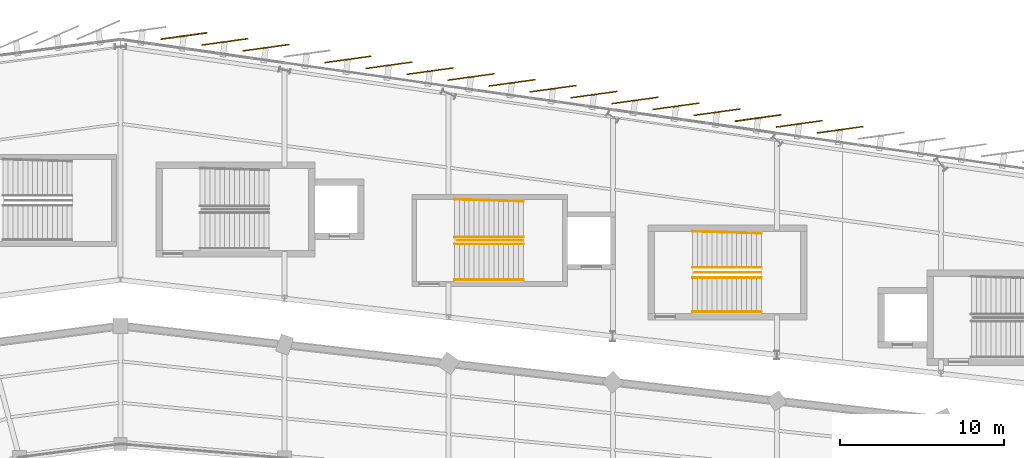
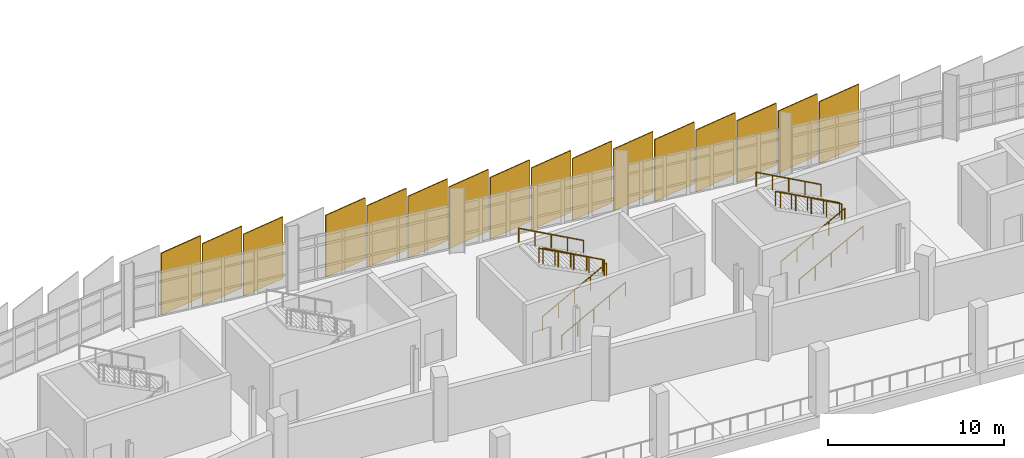
# One storey, part 120 of 125: 16 coverings, 10 railings.
"""IFC4 building model written with IfcOpenShell, lengths in metres."""

from ifc_helpers import new_model, si_unit, direction, frame, origin, origin_2d, place, context, subcontext, project, spatial, rectangle, circle, extrude, material, layer, layer_set, type_object, element, save


model = new_model("IFC4")

# Units and contexts
model_context = context("Model", 3, precision=1e-05, world=origin(), true_north=direction((0.0, 1.0)))
body_context = subcontext(model_context, "Body", "Model", "MODEL_VIEW")
ifc_project = project(units=[si_unit("LENGTHUNIT", "METRE"), si_unit("AREAUNIT", "SQUARE_METRE"), si_unit("VOLUMEUNIT", "CUBIC_METRE"), si_unit("PLANEANGLEUNIT", "RADIAN"), si_unit("MASSUNIT", "GRAM", prefix="KILO")], contexts=[model_context])

# Site, building, storey
site_placement = place(None, origin())
site = spatial("IfcSite", under=ifc_project, at=site_placement, CompositionType="ELEMENT")
building_placement = place(site_placement, origin())
building = spatial("IfcBuilding", under=site, at=building_placement, Name="Sohan Crest Arena", CompositionType="ELEMENT")
storey_placement = place(building_placement, frame((0.0, 0.0, 9.0)))
storey = spatial("IfcBuildingStorey", under=building, at=storey_placement, Name="L02", CompositionType="ELEMENT", Elevation=9.0)

# Railings
ifc_material_1 = material(Name="Powder-coated wrought steel balustrade", Category="steel")
railing_type_1 = type_object("IfcRailingType", Name="ARC-GRD-01", PredefinedType="GUARDRAIL", material=ifc_material_1)
for number, where, name in (
    (1, (122.530029296875, 114.199951171875, 2.25), "Stair well slot guard GRD-048"),
    (2, (137.030029296875, 112.25, 2.25), "Stair well slot guard GRD-120"),
):
    element("IfcRailing", number, at=place(storey_placement, frame(where)), inside=storey, type_object=railing_type_1, Name=name, PredefinedType="GUARDRAIL", context=body_context, shape_type="SweptSolid", body=[
        extrude(circle(Radius=0.02392578125, at=origin_2d()), frame((0.0, 0.0, 1.076171875), z_axis=(-0.87313487534, 0.0, 0.487478706678), x_axis=(0.0, -1.0, 0.0)), (0.0, 0.0, 1.0), 4.615478515625),
        extrude(circle(Radius=0.02099609375, at=origin_2d()), origin(), (0.0, 0.0, 1.0), 1.052001953125),
        extrude(circle(Radius=0.02099609375, at=origin_2d()), frame((-1.007568359375, 0.0, 0.5625)), (0.0, 0.0, 1.0), 1.052001953125),
        extrude(circle(Radius=0.02099609375, at=origin_2d()), frame((-2.01513671875, 0.0, 1.125)), (0.0, 0.0, 1.0), 1.052001953125),
        extrude(circle(Radius=0.02099609375, at=origin_2d()), frame((-3.0224609375, 0.0, 1.6875)), (0.0, 0.0, 1.0), 1.052001953125),
        extrude(circle(Radius=0.02099609375, at=origin_2d()), frame((-4.030029296875, 0.0, 2.25)), (0.0, 0.0, 1.0), 1.052001953125),
    ])
ifc_material_2 = material(Name="Brushed stainless steel stair handrail", Category="steel")
railing_type_2 = type_object("IfcRailingType", Name="ARC-HR-01", PredefinedType="HANDRAIL", material=ifc_material_2)
for number, where, name in (
    (3, (118.35009765625, 111.81005859375, 0.0), "Stair pitch handrail HR-161"),
    (4, (118.35009765625, 113.989990234375, 0.0), "Stair pitch handrail HR-162"),
):
    element("IfcRailing", number, at=place(storey_placement, frame(where)), inside=storey, type_object=railing_type_2, Name=name, PredefinedType="HANDRAIL", context=body_context, shape_type="SweptSolid", body=[
        extrude(circle(Radius=0.02392578125, at=origin_2d()), frame((0.0, 0.0, 0.97607421875), z_axis=(0.881477684796, 0.0, 0.472225678258), x_axis=(0.0, 1.0, 0.0)), (0.0, 0.0, 1.0), 4.7646484375),
        extrude(circle(Radius=0.02099609375, at=origin_2d()), origin(), (0.0, 0.0, 1.0), 0.951904296875),
        extrude(circle(Radius=0.02099609375, at=origin_2d()), frame((1.050048828125, 0.0, 0.5625)), (0.0, 0.0, 1.0), 0.951904296875),
        extrude(circle(Radius=0.02099609375, at=origin_2d()), frame((2.10009765625, 0.0, 1.125)), (0.0, 0.0, 1.0), 0.951904296875),
        extrude(circle(Radius=0.02099609375, at=origin_2d()), frame((3.14990234375, 0.0, 1.6875)), (0.0, 0.0, 1.0), 0.951904296875),
        extrude(circle(Radius=0.02099609375, at=origin_2d()), frame((4.199951171875, 0.0, 2.25)), (0.0, 0.0, 1.0), 0.951904296875),
    ])
railing_1_placement = place(storey_placement, frame((122.550048828125, 114.409912109375, 2.25)))
element("IfcRailing", 5, at=railing_1_placement, inside=storey, type_object=railing_type_2, Name="Stair pitch handrail HR-163", PredefinedType="HANDRAIL", context=body_context, shape_type="SweptSolid", body=[
    extrude(circle(Radius=0.02392578125, at=origin_2d()), frame((0.0, 0.0, 0.97607421875), z_axis=(-0.881477684796, 0.0, 0.472225678258), x_axis=(0.0, -1.0, 0.0)), (0.0, 0.0, 1.0), 4.7646484375),
    extrude(circle(Radius=0.02099609375, at=origin_2d()), origin(), (0.0, 0.0, 1.0), 0.951904296875),
    extrude(circle(Radius=0.02099609375, at=origin_2d()), frame((-1.050048828125, 0.0, 0.5625)), (0.0, 0.0, 1.0), 0.951904296875),
    extrude(circle(Radius=0.02099609375, at=origin_2d()), frame((-2.10009765625, 0.0, 1.125)), (0.0, 0.0, 1.0), 0.951904296875),
    extrude(circle(Radius=0.02099609375, at=origin_2d()), frame((-3.14990234375, 0.0, 1.6875)), (0.0, 0.0, 1.0), 0.951904296875),
    extrude(circle(Radius=0.02099609375, at=origin_2d()), frame((-4.199951171875, 0.0, 2.25)), (0.0, 0.0, 1.0), 0.951904296875),
])
railing_2_placement = place(storey_placement, frame((122.550048828125, 116.590087890625, 2.25)))
element("IfcRailing", 6, at=railing_2_placement, inside=storey, type_object=railing_type_2, Name="Stair pitch handrail HR-164", PredefinedType="HANDRAIL", context=body_context, shape_type="SweptSolid", body=[
    extrude(circle(Radius=0.02392578125, at=origin_2d()), frame((0.0, 0.0, 0.97607421875), z_axis=(-0.881198846469, 0.025150766356, 0.472076298847), x_axis=(-0.028529915312, -0.999592939117, 0.0)), (0.0, 0.0, 1.0), 4.76611328125),
    extrude(circle(Radius=0.02099609375, at=origin_2d()), origin(), (0.0, 0.0, 1.0), 0.951904296875),
    extrude(circle(Radius=0.02099609375, at=origin_2d()), frame((-1.050048828125, 0.030029296875, 0.5625)), (0.0, 0.0, 1.0), 0.951904296875),
    extrude(circle(Radius=0.02099609375, at=origin_2d()), frame((-2.10009765625, 0.06005859375, 1.125)), (0.0, 0.0, 1.0), 0.951904296875),
    extrude(circle(Radius=0.02099609375, at=origin_2d()), frame((-3.14990234375, 0.08984375, 1.6875)), (0.0, 0.0, 1.0), 0.951904296875),
    extrude(circle(Radius=0.02099609375, at=origin_2d()), frame((-4.199951171875, 0.119873046875, 2.25)), (0.0, 0.0, 1.0), 0.951904296875),
])
for number, where, name in (
    (7, (132.85009765625, 109.860107421875, 0.0), "Stair pitch handrail HR-393"),
    (8, (132.85009765625, 111.93994140625, 0.0), "Stair pitch handrail HR-394"),
):
    element("IfcRailing", number, at=place(storey_placement, frame(where)), inside=storey, type_object=railing_type_2, Name=name, PredefinedType="HANDRAIL", context=body_context, shape_type="SweptSolid", body=[
        extrude(circle(Radius=0.02392578125, at=origin_2d()), frame((0.0, 0.0, 0.97607421875), z_axis=(0.881477684796, 0.0, 0.472225678258), x_axis=(0.0, 1.0, 0.0)), (0.0, 0.0, 1.0), 4.7646484375),
        extrude(circle(Radius=0.02099609375, at=origin_2d()), origin(), (0.0, 0.0, 1.0), 0.951904296875),
        extrude(circle(Radius=0.02099609375, at=origin_2d()), frame((1.050048828125, 0.0, 0.5625)), (0.0, 0.0, 1.0), 0.951904296875),
        extrude(circle(Radius=0.02099609375, at=origin_2d()), frame((2.10009765625, 0.0, 1.125)), (0.0, 0.0, 1.0), 0.951904296875),
        extrude(circle(Radius=0.02099609375, at=origin_2d()), frame((3.14990234375, 0.0, 1.6875)), (0.0, 0.0, 1.0), 0.951904296875),
        extrude(circle(Radius=0.02099609375, at=origin_2d()), frame((4.199951171875, 0.0, 2.25)), (0.0, 0.0, 1.0), 0.951904296875),
    ])
railing_3_placement = place(storey_placement, frame((137.050048828125, 112.56005859375, 2.25)))
element("IfcRailing", 9, at=railing_3_placement, inside=storey, type_object=railing_type_2, Name="Stair pitch handrail HR-395", PredefinedType="HANDRAIL", context=body_context, shape_type="SweptSolid", body=[
    extrude(circle(Radius=0.02392578125, at=origin_2d()), frame((0.0, 0.0, 0.97607421875), z_axis=(-0.881477684796, 0.0, 0.472225678258), x_axis=(0.0, -1.0, 0.0)), (0.0, 0.0, 1.0), 4.7646484375),
    extrude(circle(Radius=0.02099609375, at=origin_2d()), origin(), (0.0, 0.0, 1.0), 0.951904296875),
    extrude(circle(Radius=0.02099609375, at=origin_2d()), frame((-1.050048828125, 0.0, 0.5625)), (0.0, 0.0, 1.0), 0.951904296875),
    extrude(circle(Radius=0.02099609375, at=origin_2d()), frame((-2.10009765625, 0.0, 1.125)), (0.0, 0.0, 1.0), 0.951904296875),
    extrude(circle(Radius=0.02099609375, at=origin_2d()), frame((-3.14990234375, 0.0, 1.6875)), (0.0, 0.0, 1.0), 0.951904296875),
    extrude(circle(Radius=0.02099609375, at=origin_2d()), frame((-4.199951171875, 0.0, 2.25)), (0.0, 0.0, 1.0), 0.951904296875),
])
railing_4_placement = place(storey_placement, frame((137.050048828125, 114.639892578125, 2.25)))
element("IfcRailing", 10, at=railing_4_placement, inside=storey, type_object=railing_type_2, Name="Stair pitch handrail HR-396", PredefinedType="HANDRAIL", context=body_context, shape_type="SweptSolid", body=[
    extrude(circle(Radius=0.02392578125, at=origin_2d()), frame((0.0, 0.0, 0.97607421875), z_axis=(-0.881197710057, 0.025201957411, 0.472075690047), x_axis=(-0.028587973606, -0.999591280357, 0.0)), (0.0, 0.0, 1.0), 4.76611328125),
    extrude(circle(Radius=0.02099609375, at=origin_2d()), origin(), (0.0, 0.0, 1.0), 0.951904296875),
    extrude(circle(Radius=0.02099609375, at=origin_2d()), frame((-1.050048828125, 0.030029296875, 0.5625)), (0.0, 0.0, 1.0), 0.951904296875),
    extrude(circle(Radius=0.02099609375, at=origin_2d()), frame((-2.10009765625, 0.06005859375, 1.125)), (0.0, 0.0, 1.0), 0.951904296875),
    extrude(circle(Radius=0.02099609375, at=origin_2d()), frame((-3.14990234375, 0.090087890625, 1.6875)), (0.0, 0.0, 1.0), 0.951904296875),
    extrude(circle(Radius=0.02099609375, at=origin_2d()), frame((-4.199951171875, 0.1201171875, 2.25)), (0.0, 0.0, 1.0), 0.951904296875),
])

# Coverings
ifc_material_3 = material(Name="Glazed ivory trencadis ceramic cladding", Category="masonry")
ifc_layer_1 = layer(ifc_material_3, 0.06494140625, Name="Glazed ivory trencadis ceramic cladding")
ifc_layer_set_1 = layer_set([ifc_layer_1], Name="Glazed ivory trencadis ceramic cladding")
covering_type_1 = type_object("IfcCoveringType", Name="COV-SC-IV", PredefinedType="CLADDING", material=ifc_layer_set_1)
for number, where, z_axis, x_axis, name in (
    (11, (141.85791015625, 120.951904296875, -0.2001953125), (0.0, 0.0, 1.0), (-0.990509463238, -0.137444546037, 0.0), "Rotated trencadis ceramic scale panel SC-0243"),
    (12, (139.35791015625, 121.31005859375, -0.2001953125), (0.0, 0.0, 1.0), (-0.990509463238, -0.137444546037, 0.0), "Rotated trencadis ceramic scale panel SC-0244"),
    (13, (134.35693359375, 122.02392578125, -0.2001953125), (0.0, 0.0, 1.0), (-0.990509463238, -0.137444546037, 0.0), "Rotated trencadis ceramic scale panel SC-0246"),
    (14, (131.85693359375, 122.381103515625, -0.2001953125), (0.0, 0.0, 1.0), (-0.990509463238, -0.137444546037, 0.0), "Rotated trencadis ceramic scale panel SC-0247"),
    (15, (129.35693359375, 122.738037109375, -0.2001953125), (0.0, 0.0, 1.0), (-0.990509463238, -0.137444546037, 0.0), "Rotated trencadis ceramic scale panel SC-0248"),
    (16, (126.85791015625, 123.094970703125, -0.2001953125), (0.0, 0.0, 1.0), (-0.990509463238, -0.137444546037, 0.0), "Rotated trencadis ceramic scale panel SC-0249"),
    (17, (124.35791015625, 123.451904296875, -0.2001953125), (0.0, 0.0, 1.0), (-0.990509463238, -0.137444546037, 0.0), "Rotated trencadis ceramic scale panel SC-0250"),
    (18, (121.85791015625, 123.80908203125, -0.2001953125), (0.0, 0.0, 1.0), (-0.990509463238, -0.137444546037, 0.0), "Rotated trencadis ceramic scale panel SC-0251"),
    (19, (119.35791015625, 124.1669921875, -0.2001953125), (0.0, 0.0, 1.0), (-0.990509463238, -0.137444546037, 0.0), "Rotated trencadis ceramic scale panel SC-0252"),
    (20, (116.85693359375, 124.52392578125, -0.2001953125), (0.0, 0.0, 1.0), (-0.990509463238, -0.137444546037, 0.0), "Rotated trencadis ceramic scale panel SC-0253"),
    (21, (114.35693359375, 124.881103515625, -0.2001953125), (0.0, 0.0, 1.0), (-0.990509463238, -0.137444546037, 0.0), "Rotated trencadis ceramic scale panel SC-0254"),
    (22, (111.85693359375, 125.238037109375, -0.2001953125), (0.0, 0.0, 1.0), (-0.990509463238, -0.137444546037, 0.0), "Rotated trencadis ceramic scale panel SC-0255"),
    (23, (106.85791015625, 125.951904296875, -0.2001953125), (0.0, 0.0, 1.0), (-0.990509463238, -0.137444546037, 0.0), "Rotated trencadis ceramic scale panel SC-0257"),
    (24, (104.35791015625, 126.30908203125, -0.2001953125), (0.0, 0.0, 1.0), (-0.990509463238, -0.137444546037, 0.0), "Rotated trencadis ceramic scale panel SC-0258"),
):
    element("IfcCovering", number, at=place(storey_placement, frame(where, z_axis=z_axis, x_axis=x_axis)), inside=storey, type_object=covering_type_1, Name=name, PredefinedType="CLADDING", context=body_context, shape_type="SweptSolid", body=[
        extrude(rectangle(XDim=2.85009765625, YDim=0.06494140625, at=origin_2d()), origin(), (0.0, 0.0, 1.0), 4.300048828125),
    ])
ifc_material_4 = material(Name="Glazed terracotta trencadis ceramic cladding", Category="masonry")
ifc_layer_2 = layer(ifc_material_4, 0.074951171875, Name="Glazed terracotta trencadis ceramic cladding")
ifc_layer_set_2 = layer_set([ifc_layer_2], Name="Glazed terracotta trencadis ceramic cladding")
covering_type_2 = type_object("IfcCoveringType", Name="COV-SC-TC", PredefinedType="CLADDING", material=ifc_layer_set_2)
for number, where, z_axis, x_axis, name in (
    (25, (136.85693359375, 121.6669921875, -0.2001953125), (0.0, 0.0, 1.0), (-0.990509463238, -0.137444546037, 0.0), "Rotated trencadis ceramic scale panel SC-0245"),
    (26, (101.85791015625, 126.666015625, -0.2001953125), (0.0, 0.0, 1.0), (-0.990509463238, -0.137444546037, 0.0), "Rotated trencadis ceramic scale panel SC-0259"),
):
    element("IfcCovering", number, at=place(storey_placement, frame(where, z_axis=z_axis, x_axis=x_axis)), inside=storey, type_object=covering_type_2, Name=name, PredefinedType="CLADDING", context=body_context, shape_type="SweptSolid", body=[
        extrude(rectangle(XDim=2.85009765625, YDim=0.074951171875, at=origin_2d()), origin(), (0.0, 0.0, 1.0), 4.300048828125),
    ])

save(model, "model.ifc")
